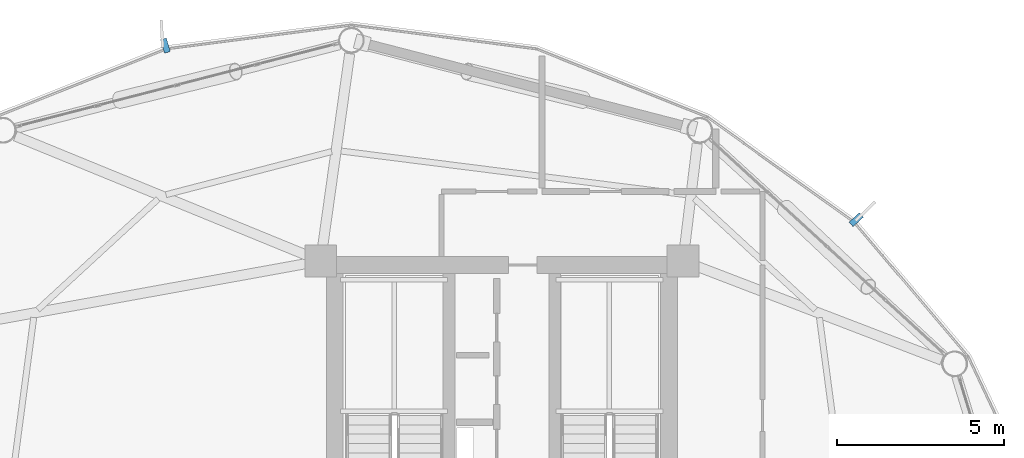
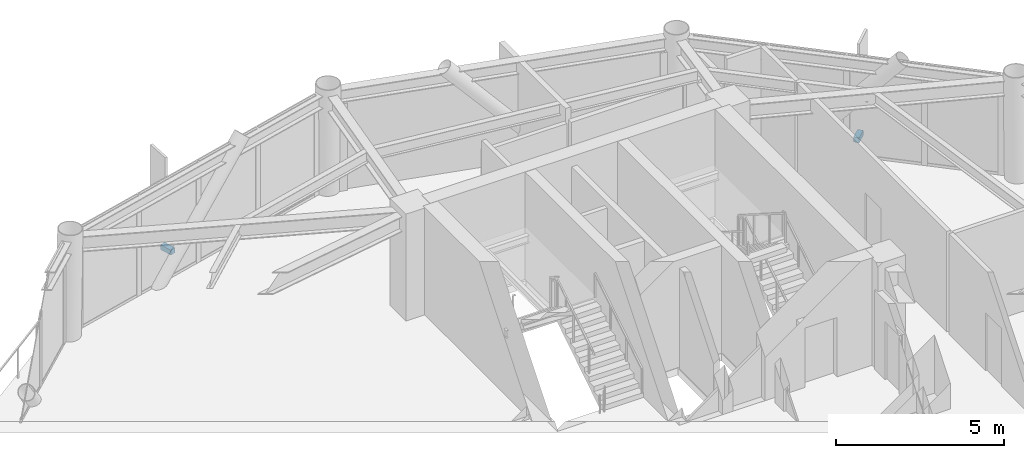
# One storey, part 23 of 26: 2 discrete accessories.
"""IFC4 building model written with IfcOpenShell, lengths in metres."""

from ifc_helpers import new_model, si_unit, direction, frame, origin, origin_2d, place, context, subcontext, project, spatial, rectangle, extrude, source, transform, mapped, material, type_object, type_shapes, element, save


model = new_model("IFC4")

# Units and contexts
model_context = context("Model", 3, precision=1e-05, world=origin(), true_north=direction((0.0, 1.0)))
body_context = subcontext(model_context, "Body", "Model", "MODEL_VIEW")
ifc_project = project(units=[si_unit("LENGTHUNIT", "METRE"), si_unit("AREAUNIT", "SQUARE_METRE"), si_unit("VOLUMEUNIT", "CUBIC_METRE"), si_unit("PLANEANGLEUNIT", "RADIAN"), si_unit("MASSUNIT", "GRAM", prefix="KILO")], contexts=[model_context])

# Site, building, storey
site_placement = place(None, origin())
site = spatial("IfcSite", under=ifc_project, at=site_placement, CompositionType="ELEMENT")
building_placement = place(site_placement, origin())
building = spatial("IfcBuilding", under=site, at=building_placement, Name="Varnakorn Sky Granary", CompositionType="ELEMENT")
storey_placement = place(building_placement, frame((0.0, 0.0, 138.300048828125)))
storey = spatial("IfcBuildingStorey", under=building, at=storey_placement, Name="L34", CompositionType="ELEMENT", Elevation=138.300048828125)

# Discrete accessories
ifc_material = material(Name="Steel S355JR", Category="steel")
discrete_accessory_type = type_object("IfcDiscreteAccessoryType", Name="AC-BRK-01", PredefinedType="BRACKET", material=ifc_material)
shared_shape = source(origin(), body_context, "Body", "SweptSolid", [
    extrude(rectangle(XDim=0.179931640625, YDim=0.419921875, at=origin_2d()), origin(), (0.0, 0.0, 1.0), 0.179931640625),
])
type_shapes(discrete_accessory_type, [shared_shape])
for number, where, z_axis, x_axis, name in (
    (1, (13.602294921875, 13.856201171875, -0.2001953125), (0.0, 0.0, 1.0), (-0.676051697968, 0.736854192955, 0.0), "Facade Solar-Screen Outrigger Bracket L34-02"),
    (2, (-7.06396484375, 19.062744140625, -0.2001953125), (0.0, 0.0, 1.0), (-0.959945281682, -0.280187537511, 0.0), "Facade Solar-Screen Outrigger Bracket L34-04"),
):
    element("IfcDiscreteAccessory", number, at=place(storey_placement, frame(where, z_axis=z_axis, x_axis=x_axis)), inside=storey, type_object=discrete_accessory_type, Name=name, PredefinedType="BRACKET", context=body_context, shape_type="MappedRepresentation", body=[
        mapped(shared_shape, transform((0.0, 0.0, 0.0), x_axis=(1.0, 0.0, 0.0), y_axis=(0.0, 1.0, 0.0), z_axis=(0.0, 0.0, 1.0), scale=1.0)),
    ])

save(model, "model.ifc")
